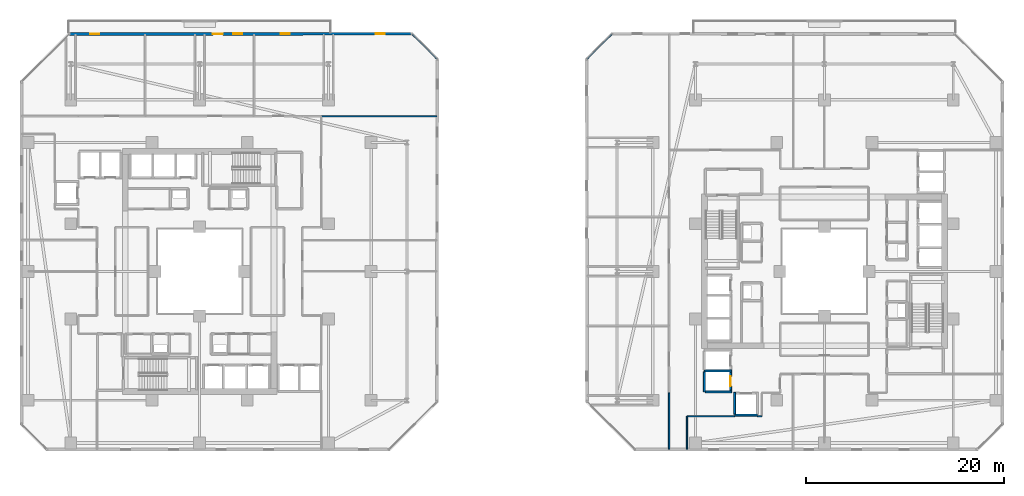
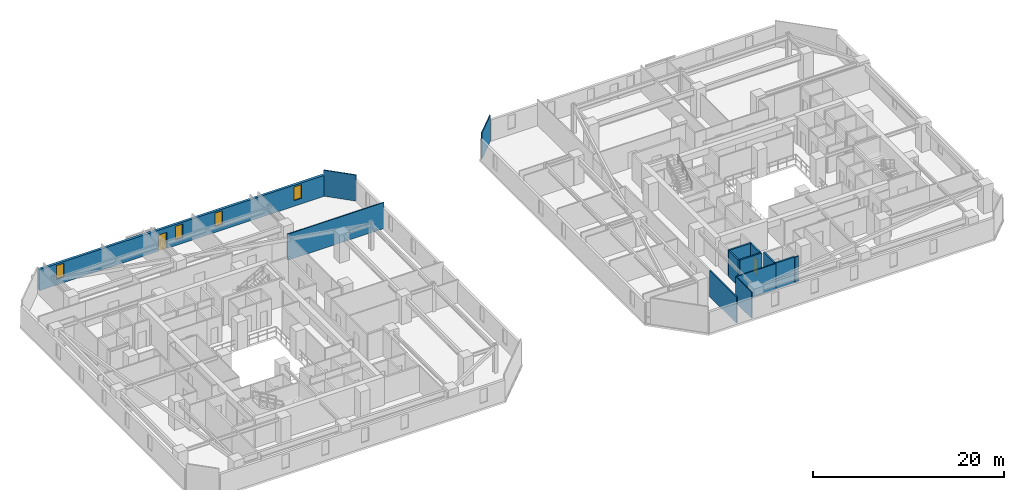
# One storey, part 20 of 31: 14 walls, 4 windows, 2 doors, 6 openings.
"""IFC4 building model written with IfcOpenShell, lengths in metres."""

from ifc_helpers import new_model, si_unit, direction, frame, frame_2d, origin, place, context, subcontext, project, spatial, rectangle, extrude, material, layer, layer_set, type_object, element, fill, save


model = new_model("IFC4")

# Units and contexts
model_context = context("Model", 3, precision=1e-05, world=origin(), true_north=direction((0.0, 1.0)))
body_context = subcontext(model_context, "Body", "Model", "MODEL_VIEW")
ifc_project = project(units=[si_unit("LENGTHUNIT", "METRE"), si_unit("AREAUNIT", "SQUARE_METRE"), si_unit("VOLUMEUNIT", "CUBIC_METRE"), si_unit("PLANEANGLEUNIT", "RADIAN"), si_unit("MASSUNIT", "GRAM", prefix="KILO")], contexts=[model_context])

# Site, building, storey
site_placement = place(None, origin())
site = spatial("IfcSite", under=ifc_project, at=site_placement, CompositionType="ELEMENT")
building_placement = place(site_placement, origin())
building = spatial("IfcBuilding", under=site, at=building_placement, Name="Thornwick Lancets Civic Towers", CompositionType="ELEMENT")
storey_placement = place(building_placement, frame((0.0, 0.0, 90.89990234375)))
storey = spatial("IfcBuildingStorey", under=building, at=storey_placement, Name="L23", CompositionType="ELEMENT", Elevation=90.89990234375)

# Wall, opening, door
ifc_material_1 = material(Name="Concrete blockwork C40/50", Category="masonry")
ifc_layer_1 = layer(ifc_material_1, 0.199951171875, Name="Concrete blockwork C40/50")
ifc_layer_set_1 = layer_set([ifc_layer_1], Name="Concrete blockwork C40/50")
wall_type_1 = type_object("IfcWallType", Name="WALL_COMP_200", PredefinedType="STANDARD", material=ifc_layer_set_1)
wall_1_placement = place(storey_placement, frame((79.050048828125, 15.030029296875, 0.0), z_axis=(0.0, 0.0, 1.0), x_axis=(0.0, 1.0, 0.0)))
wall_1 = element("IfcWall", 1, at=wall_1_placement, inside=storey, type_object=wall_type_1, Name="L23 Hoistway Front Wall PL-BM2", PredefinedType="STANDARD", context=body_context, shape_type="SweptSolid", body=[
    extrude(rectangle(XDim=1.7900390625, YDim=0.199951171875, at=frame_2d((0.89501953125, 0.0))), origin(), (0.0, 0.0, 1.0), 3.340087890625),
])
opening_1_placement = place(wall_1_placement, frame((0.385009765625, 0.0, 0.0)))
opening_1 = element("IfcOpeningElement", 2, at=opening_1_placement, cuts=wall_1, Name="Opening LD-PL-BM2", PredefinedType="OPENING", context=body_context, shape_type="SweptSolid", body=[
    extrude(rectangle(XDim=1.02001953125, YDim=2.06005859375, at=frame_2d((0.510009765625, 1.030029296875))), frame((0.0, 0.10986328125, 0.0), z_axis=(0.0, -1.0, 0.0), x_axis=(1.0, 0.0, 0.0)), (0.0, 0.0, 1.0), 0.219970703125),
])
ifc_material_2 = material(Name="Brushed bronze stainless steel", Category="steel")
door_type_1 = type_object("IfcDoorType", Name="DOOR_LIFT_SLIDE", OperationType="SLIDING_TO_LEFT", PredefinedType="DOOR", material=ifc_material_2)
door_1_placement = place(opening_1_placement, origin())
door_1 = element("IfcDoor", 3, at=door_1_placement, inside=storey, type_object=door_type_1, Name="L23 Sliding Lift Landing Door LD-PL-BM2", OperationType="SLIDING_TO_LEFT", OverallHeight=2.06005859375, OverallWidth=1.02001953125, PredefinedType="DOOR", context=body_context, shape_type="SweptSolid", body=[
    extrude(rectangle(XDim=1.02001953125, YDim=2.06005859375, at=frame_2d((0.510009765625, 1.030029296875))), frame((0.0, 0.02490234375, 0.0), z_axis=(0.0, -1.0, 0.0), x_axis=(1.0, 0.0, 0.0)), (0.0, 0.0, 1.0), 0.050048828125),
])
fill(opening_1, door_1)

# Walls
wall_2_placement = place(storey_placement, frame((76.402099609375, 16.97509765625, 0.0), z_axis=(0.0, 0.0, 1.0), x_axis=(1.0, 0.0, 0.0)))
element("IfcWall", 4, at=wall_2_placement, inside=storey, type_object=wall_type_1, Name="L23 Hoistway Shaft Wall PL-BM1 S", PredefinedType="STANDARD", context=body_context, shape_type="SweptSolid", body=[
    extrude(rectangle(XDim=2.745849609375, YDim=0.199951171875, at=frame_2d((1.373046875, 0.0))), origin(), (0.0, 0.0, 1.0), 3.340087890625),
])
wall_3_placement = place(storey_placement, frame((76.39990234375, 14.85205078125, 0.0), z_axis=(0.0, 0.0, 1.0), x_axis=(0.0, 1.0, 0.0)))
element("IfcWall", 5, at=wall_3_placement, inside=storey, type_object=wall_type_1, Name="L23 Hoistway Shaft Wall PL-BM1 W", PredefinedType="STANDARD", context=body_context, shape_type="SweptSolid", body=[
    extrude(rectangle(XDim=2.015869140625, YDim=0.199951171875, at=frame_2d((1.0078125, 0.0))), origin(), (0.0, 0.0, 1.0), 3.340087890625),
])
wall_4_placement = place(storey_placement, frame((76.511962890625, 14.85009765625, 0.0), z_axis=(0.0, 0.0, 1.0), x_axis=(1.0, 0.0, 0.0)))
element("IfcWall", 6, at=wall_4_placement, inside=storey, type_object=wall_type_1, Name="L23 Hoistway Shaft Wall PL-BM2 S", PredefinedType="STANDARD", context=body_context, shape_type="SweptSolid", body=[
    extrude(rectangle(XDim=2.635986328125, YDim=0.199951171875, at=frame_2d((1.31787109375, 0.0))), origin(), (0.0, 0.0, 1.0), 3.340087890625),
])
wall_5_placement = place(storey_placement, frame((79.451904296875, 12.5, 0.0), z_axis=(0.0, 0.0, 1.0), x_axis=(1.0, 0.0, 0.0)))
element("IfcWall", 7, at=wall_5_placement, inside=storey, type_object=wall_type_1, Name="L23 Hoistway Shaft Wall PL-BM3 S", PredefinedType="STANDARD", context=body_context, shape_type="SweptSolid", body=[
    extrude(rectangle(XDim=2.296142578125, YDim=0.199951171875, at=frame_2d((1.14794921875, 0.0))), origin(), (0.0, 0.0, 1.0), 3.340087890625),
])
wall_6_placement = place(storey_placement, frame((79.449951171875, 12.612060546875, 0.0), z_axis=(0.0, 0.0, 1.0), x_axis=(0.0, 1.0, 0.0)))
element("IfcWall", 8, at=wall_6_placement, inside=storey, type_object=wall_type_1, Name="L23 Hoistway Shaft Wall PL-BM3 W", PredefinedType="STANDARD", context=body_context, shape_type="SweptSolid", body=[
    extrude(rectangle(XDim=2.18603515625, YDim=0.199951171875, at=frame_2d((1.093017578125, 0.0))), origin(), (0.0, 0.0, 1.0), 3.340087890625),
])

# Wall, openings, door, windows
ifc_material_3 = material(Name="Insulated russet terracotta rainscreen on concrete C40/50", Category="masonry")
ifc_layer_2 = layer(ifc_material_3, 0.300048828125, Name="Insulated russet terracotta rainscreen on concrete C40/50")
ifc_layer_set_2 = layer_set([ifc_layer_2], Name="Insulated russet terracotta rainscreen on concrete C40/50")
wall_type_2 = type_object("IfcWallType", Name="WALL_EXT_RUSSET_300", PredefinedType="STANDARD", material=ifc_layer_set_2)
wall_7_placement = place(storey_placement, frame((46.88134765625, 50.964599609375, 0.0), z_axis=(0.0, 0.0, 1.0), x_axis=(-0.99999997744, -0.000212414941, 0.0)))
wall_7 = element("IfcWall", 9, at=wall_7_placement, inside=storey, type_object=wall_type_2, Name="L23 Tower A Terracotta Facade Wall E4", PredefinedType="STANDARD", context=body_context, shape_type="SweptSolid", body=[
    extrude(rectangle(XDim=34.480712890625, YDim=0.300048828125, at=frame_2d((17.240234375, 0.0))), origin(), (0.0, 0.0, 1.0), 2.7001953125),
])
opening_2_placement = place(wall_7_placement, frame((19.040283203125, 0.0, 0.0)))
opening_2 = element("IfcOpeningElement", 10, at=opening_2_placement, cuts=wall_7, Name="Opening D-BL-L23-AN", PredefinedType="OPENING", context=body_context, shape_type="SweptSolid", body=[
    extrude(rectangle(XDim=1.0, YDim=2.080078125, at=frame_2d((0.5, 1.0400390625))), frame((0.0, 0.16015625, 0.0), z_axis=(0.0, -1.0, 0.0), x_axis=(1.0, 0.0, 0.0)), (0.0, 0.0, 1.0), 0.320068359375),
])
opening_3_placement = place(wall_7_placement, frame((2.699951171875, 0.0, 0.719970703125)))
opening_3 = element("IfcOpeningElement", 11, at=opening_3_placement, cuts=wall_7, Name="Opening WL-01", PredefinedType="OPENING", context=body_context, shape_type="SweptSolid", body=[
    extrude(rectangle(XDim=0.89990234375, YDim=1.75, at=frame_2d((0.449951171875, 0.875))), frame((0.0, 0.16015625, 0.0), z_axis=(0.0, -1.0, 0.0), x_axis=(1.0, 0.0, 0.0)), (0.0, 0.0, 1.0), 0.320068359375),
])
opening_4_placement = place(wall_7_placement, frame((12.300048828125, 0.0, 0.719970703125)))
opening_4 = element("IfcOpeningElement", 12, at=opening_4_placement, cuts=wall_7, Name="Opening WL-01", PredefinedType="OPENING", context=body_context, shape_type="SweptSolid", body=[
    extrude(rectangle(XDim=0.89990234375, YDim=1.75, at=frame_2d((0.449951171875, 0.875))), frame((0.0, 0.16015625, 0.0), z_axis=(0.0, -1.0, 0.0), x_axis=(1.0, 0.0, 0.0)), (0.0, 0.0, 1.0), 0.320068359375),
])
opening_5_placement = place(wall_7_placement, frame((17.10009765625, 0.0, 0.719970703125)))
opening_5 = element("IfcOpeningElement", 13, at=opening_5_placement, cuts=wall_7, Name="Opening WL-01", PredefinedType="OPENING", context=body_context, shape_type="SweptSolid", body=[
    extrude(rectangle(XDim=0.89990234375, YDim=1.75, at=frame_2d((0.449951171875, 0.875))), frame((0.0, 0.16015625, 0.0), z_axis=(0.0, -1.0, 0.0), x_axis=(1.0, 0.0, 0.0)), (0.0, 0.0, 1.0), 0.320068359375),
])
opening_6_placement = place(wall_7_placement, frame((31.5, 0.0, 0.719970703125)))
opening_6 = element("IfcOpeningElement", 14, at=opening_6_placement, cuts=wall_7, Name="Opening WL-01", PredefinedType="OPENING", context=body_context, shape_type="SweptSolid", body=[
    extrude(rectangle(XDim=0.89990234375, YDim=1.75, at=frame_2d((0.449951171875, 0.875))), frame((0.0, 0.16015625, 0.0), z_axis=(0.0, -1.0, 0.0), x_axis=(1.0, 0.0, 0.0)), (0.0, 0.0, 1.0), 0.320068359375),
])
ifc_material_4 = material(Name="Thermally broken glazed loggia doorset")
door_type_2 = type_object("IfcDoorType", Name="DOOR_BALC_1000", OperationType="NOTDEFINED", PredefinedType="DOOR", material=ifc_material_4)
door_2_placement = place(opening_2_placement, origin())
door_2 = element("IfcDoor", 15, at=door_2_placement, inside=storey, type_object=door_type_2, Name="L23 Tower A Loggia Balcony Door N", OperationType="SINGLE_SWING_RIGHT", OverallHeight=2.080078125, OverallWidth=1.0, PredefinedType="DOOR", context=body_context, shape_type="SweptSolid", body=[
    extrude(rectangle(XDim=1.0, YDim=2.080078125, at=frame_2d((0.5, 1.0400390625))), frame((0.0, 0.02490234375, 0.0), z_axis=(0.0, -1.0, 0.0), x_axis=(1.0, 0.0, 0.0)), (0.0, 0.0, 1.0), 0.050048828125),
])
fill(opening_2, door_2)
ifc_material_5 = material(Name="Clear low-e double glazing in bronze frame", Category="glass")
window_type = type_object("IfcWindowType", Name="WIN_LANCET_900", PartitioningType="SINGLE_PANEL", PredefinedType="WINDOW", material=ifc_material_5)
window_1_placement = place(opening_3_placement, origin())
window_1 = element("IfcWindow", 16, at=window_1_placement, inside=storey, type_object=window_type, Name="L23 Tower A Staggered Lancet Window E4-1", OverallHeight=1.75, OverallWidth=0.89990234375, PartitioningType="SINGLE_PANEL", PredefinedType="WINDOW", context=body_context, shape_type="SweptSolid", body=[
    extrude(rectangle(XDim=0.89990234375, YDim=1.75, at=frame_2d((0.449951171875, 0.875))), frame((0.0, 0.030029296875, 0.0), z_axis=(0.0, -1.0, 0.0), x_axis=(1.0, 0.0, 0.0)), (0.0, 0.0, 1.0), 0.06005859375),
])
fill(opening_3, window_1)
window_2_placement = place(opening_4_placement, origin())
window_2 = element("IfcWindow", 17, at=window_2_placement, inside=storey, type_object=window_type, Name="L23 Tower A Staggered Lancet Window E4-2", OverallHeight=1.75, OverallWidth=0.89990234375, PartitioningType="SINGLE_PANEL", PredefinedType="WINDOW", context=body_context, shape_type="SweptSolid", body=[
    extrude(rectangle(XDim=0.89990234375, YDim=1.75, at=frame_2d((0.449951171875, 0.875))), frame((0.0, 0.030029296875, 0.0), z_axis=(0.0, -1.0, 0.0), x_axis=(1.0, 0.0, 0.0)), (0.0, 0.0, 1.0), 0.06005859375),
])
fill(opening_4, window_2)
window_3_placement = place(opening_5_placement, origin())
window_3 = element("IfcWindow", 18, at=window_3_placement, inside=storey, type_object=window_type, Name="L23 Tower A Staggered Lancet Window E4-3", OverallHeight=1.75, OverallWidth=0.89990234375, PartitioningType="SINGLE_PANEL", PredefinedType="WINDOW", context=body_context, shape_type="SweptSolid", body=[
    extrude(rectangle(XDim=0.89990234375, YDim=1.75, at=frame_2d((0.449951171875, 0.875))), frame((0.0, 0.030029296875, 0.0), z_axis=(0.0, -1.0, 0.0), x_axis=(1.0, 0.0, 0.0)), (0.0, 0.0, 1.0), 0.06005859375),
])
fill(opening_5, window_3)
window_4_placement = place(opening_6_placement, origin())
window_4 = element("IfcWindow", 19, at=window_4_placement, inside=storey, type_object=window_type, Name="L23 Tower A Staggered Lancet Window E4-4", OverallHeight=1.75, OverallWidth=0.89990234375, PartitioningType="SINGLE_PANEL", PredefinedType="WINDOW", context=body_context, shape_type="SweptSolid", body=[
    extrude(rectangle(XDim=0.89990234375, YDim=1.75, at=frame_2d((0.449951171875, 0.875))), frame((0.0, 0.030029296875, 0.0), z_axis=(0.0, -1.0, 0.0), x_axis=(1.0, 0.0, 0.0)), (0.0, 0.0, 1.0), 0.06005859375),
])
fill(opening_6, window_4)

# Walls
ifc_material_6 = material(Name="Acoustic gypsum board partition")
ifc_layer_3 = layer(ifc_material_6, 0.1201171875, Name="Acoustic gypsum board partition")
ifc_layer_set_3 = layer_set([ifc_layer_3], Name="Acoustic gypsum board partition")
wall_type_3 = type_object("IfcWallType", Name="WALL_PART_120", PredefinedType="PARTITIONING", material=ifc_layer_set_3)
wall_8_placement = place(storey_placement, frame((37.75, 42.64990234375, 0.0), z_axis=(0.0, 0.0, 1.0), x_axis=(1.0, 0.0, 0.0)))
element("IfcWall", 20, at=wall_8_placement, inside=storey, type_object=wall_type_3, Name="L23 Partition L23-A-E3 E4", PredefinedType="PARTITIONING", context=body_context, shape_type="SweptSolid", body=[
    extrude(rectangle(XDim=11.669921875, YDim=0.1201171875, at=frame_2d((5.8349609375, 0.0))), origin(), (0.0, 0.0, 1.0), 3.340087890625),
])
wall_9_placement = place(storey_placement, frame((46.92529296875, 50.919921875, 0.0), z_axis=(0.0, 0.0, 1.0), x_axis=(0.707106781187, -0.707106781187, 0.0)))
element("IfcWall", 21, at=wall_9_placement, inside=storey, type_object=wall_type_3, Name="L23 Partition L23-A-N-OFF E9", PredefinedType="PARTITIONING", context=body_context, shape_type="SweptSolid", body=[
    extrude(rectangle(XDim=3.52783203125, YDim=0.1201171875, at=frame_2d((1.763916015625, 0.0))), origin(), (0.0, 0.0, 1.0), 3.340087890625),
])
wall_10_placement = place(storey_placement, frame((74.64990234375, 9.080078125, 0.0), z_axis=(0.0, 0.0, 1.0), x_axis=(0.0, 1.0, 0.0)))
element("IfcWall", 22, at=wall_10_placement, inside=storey, type_object=wall_type_3, Name="L23 Partition L23-B-W3 E12", PredefinedType="PARTITIONING", context=body_context, shape_type="SweptSolid", body=[
    extrude(rectangle(XDim=3.31982421875, YDim=0.1201171875, at=frame_2d((1.659912109375, 0.0))), origin(), (0.0, 0.0, 1.0), 3.340087890625),
])
wall_11_placement = place(storey_placement, frame((74.64990234375, 12.39990234375, 0.0), z_axis=(0.0, 0.0, 1.0), x_axis=(1.0, 0.0, 0.0)))
element("IfcWall", 23, at=wall_11_placement, inside=storey, type_object=wall_type_3, Name="L23 Partition L23-B-W3 E13", PredefinedType="PARTITIONING", context=body_context, shape_type="SweptSolid", body=[
    extrude(rectangle(XDim=4.802001953125, YDim=0.1201171875, at=frame_2d((2.40087890625, 0.0))), origin(), (0.0, 0.0, 1.0), 3.340087890625),
])
wall_12_placement = place(storey_placement, frame((81.748046875, 12.39990234375, 0.0), z_axis=(0.0, 0.0, 1.0), x_axis=(1.0, 0.0, 0.0)))
element("IfcWall", 24, at=wall_12_placement, inside=storey, type_object=wall_type_3, Name="L23 Partition L23-B-W3 E13", PredefinedType="PARTITIONING", context=body_context, shape_type="SweptSolid", body=[
    extrude(rectangle(XDim=0.451904296875, YDim=0.1201171875, at=frame_2d((0.22607421875, 0.0))), origin(), (0.0, 0.0, 1.0), 3.340087890625),
])
wall_13_placement = place(storey_placement, frame((64.580078125, 48.42529296875, 0.0), z_axis=(0.0, 0.0, 1.0), x_axis=(0.707106781187, 0.707106781187, 0.0)))
element("IfcWall", 25, at=wall_13_placement, inside=storey, type_object=wall_type_3, Name="L23 Partition L23-B-N-OFF E6", PredefinedType="PARTITIONING", context=body_context, shape_type="SweptSolid", body=[
    extrude(rectangle(XDim=3.52783203125, YDim=0.1201171875, at=frame_2d((1.763916015625, 0.0))), origin(), (0.0, 0.0, 1.0), 3.340087890625),
])
ifc_material_7 = material(Name="Twin-stud acoustic gypsum board")
ifc_layer_4 = layer(ifc_material_7, 0.14990234375, Name="Twin-stud acoustic gypsum board")
ifc_layer_set_4 = layer_set([ifc_layer_4], Name="Twin-stud acoustic gypsum board")
wall_type_4 = type_object("IfcWallType", Name="WALL_PART_150", PredefinedType="PARTITIONING", material=ifc_layer_set_4)
wall_14_placement = place(storey_placement, frame((72.85009765625, 14.75, 0.0), z_axis=(0.0, 0.0, 1.0), x_axis=(0.0, -1.0, 0.0)))
element("IfcWall", 26, at=wall_14_placement, inside=storey, type_object=wall_type_4, Name="L23 Partition L23-B-N-CONF E1", PredefinedType="PARTITIONING", context=body_context, shape_type="SweptSolid", body=[
    extrude(rectangle(XDim=5.669921875, YDim=0.14990234375, at=frame_2d((2.8349609375, 0.0))), origin(), (0.0, 0.0, 1.0), 3.340087890625),
])

save(model, "model.ifc")
